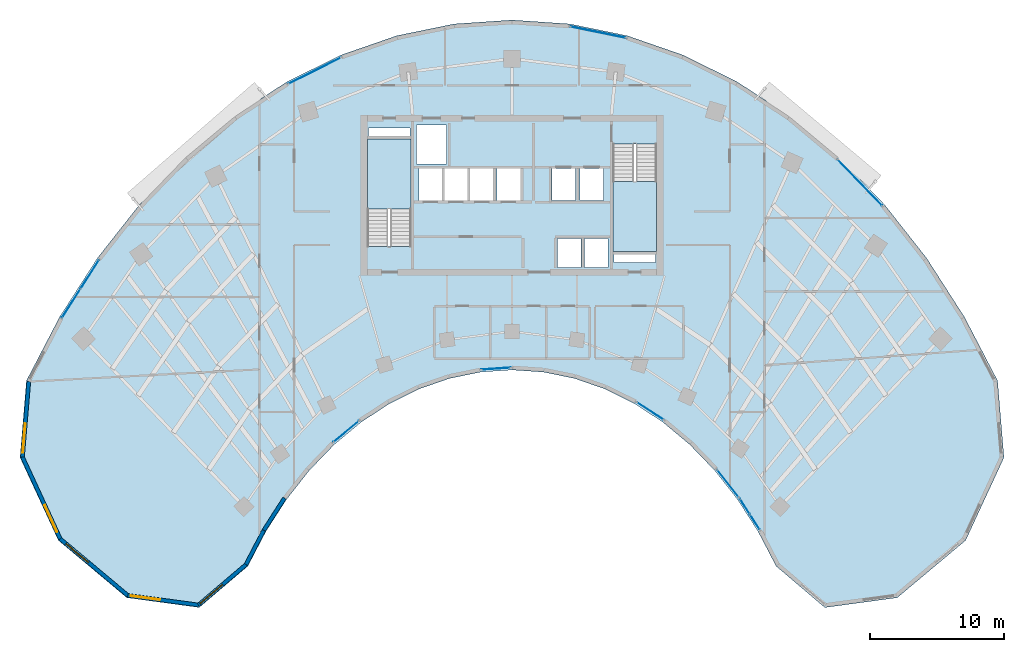
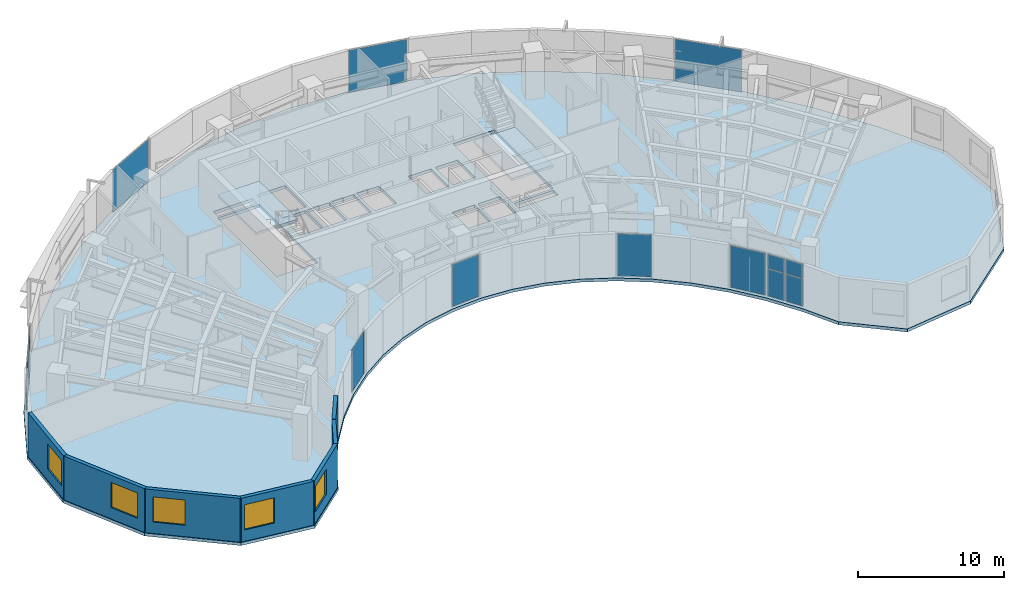
# One storey, part 7 of 14: 15 plates, 7 walls, 5 windows, 3 slabs, 5 openings, 11 elements without a shape of their own.
"""IFC4 building model written with IfcOpenShell, lengths in metres."""

from ifc_helpers import new_model, si_unit, direction, frame, frame_2d, origin, origin_2d, place, context, subcontext, project, spatial, polyline, rectangle, outline, extrude, source, transform, mapped, material, layer, layer_set, type_object, type_shapes, element, fill, aggregate, save


model = new_model("IFC4")

# Units and contexts
model_context = context("Model", 3, precision=1e-05, world=origin(), true_north=direction((0.0, 1.0)))
body_context = subcontext(model_context, "Body", "Model", "MODEL_VIEW")
ifc_project = project(units=[si_unit("LENGTHUNIT", "METRE"), si_unit("AREAUNIT", "SQUARE_METRE"), si_unit("VOLUMEUNIT", "CUBIC_METRE"), si_unit("PLANEANGLEUNIT", "RADIAN"), si_unit("MASSUNIT", "GRAM", prefix="KILO")], contexts=[model_context])

# Site, building, storey
site_placement = place(None, origin())
site = spatial("IfcSite", under=ifc_project, at=site_placement, CompositionType="ELEMENT")
building_placement = place(site_placement, origin())
building = spatial("IfcBuilding", under=site, at=building_placement, Name="Breltana Convention Tower", CompositionType="ELEMENT")
storey_placement = place(building_placement, frame((0.0, 0.0, 99.89990234375)))
storey = spatial("IfcBuildingStorey", under=building, at=storey_placement, Name="L23", CompositionType="ELEMENT", Elevation=99.89990234375)

# Slab
ifc_material_1 = material(Name="Concrete C40/50", Category="concrete")
ifc_layer_1 = layer(ifc_material_1, 0.25, Name="Concrete C40/50")
ifc_layer_set_1 = layer_set([ifc_layer_1], Name="Concrete C40/50")
slab_type_1 = type_object("IfcSlabType", Name="SL-OFF-250", PredefinedType="FLOOR", material=ifc_layer_set_1)
slab_1_placement = place(storey_placement, frame((0.0, 0.0, -0.25)))
element("IfcSlab", 1, at=slab_1_placement, inside=storey, type_object=slab_type_1, Name="L23 Suspended Structural Floor Slab", PredefinedType="FLOOR", context=body_context, shape_type="SweptSolid", body=[
    extrude(outline(polyline([(84.254150390625, 52.3564453125), (81.779052734375, 57.1103515625), (78.958251953125, 61.5048828125), (75.820556640625, 65.494873046875), (72.39794921875, 69.03955078125), (68.7255859375, 72.1025390625), (64.841064453125, 74.652587890625), (60.783935546875, 76.663818359375), (56.59619140625, 78.114990234375), (52.3203125, 78.99169921875), (48.0, 79.284912109375), (43.6796875, 78.99169921875), (39.40380859375, 78.114990234375), (35.216064453125, 76.663818359375), (31.158935546875, 74.652587890625), (27.2744140625, 72.1025390625), (23.60205078125, 69.03955078125), (20.179443359375, 65.494873046875), (17.041748046875, 61.5048828125), (14.220947265625, 57.1103515625), (11.745849609375, 52.3564453125), (11.266357421875, 46.619384765625), (14.128173828125, 40.42919921875), (19.23828125, 36.150146484375), (24.64501953125, 35.4169921875), (28.282958984375, 38.509521484375), (29.62890625, 41.09521484375), (31.1630859375, 43.485107421875), (32.869384765625, 45.655029296875), (34.73095703125, 47.5830078125), (36.728271484375, 49.248779296875), (38.8408203125, 50.6357421875), (41.04736328125, 51.7294921875), (43.324951171875, 52.518798828125), (45.650390625, 52.99560546875), (48.0, 53.155029296875), (50.349609375, 52.99560546875), (52.675048828125, 52.518798828125), (54.95263671875, 51.7294921875), (57.1591796875, 50.6357421875), (59.271728515625, 49.248779296875), (61.26904296875, 47.5830078125), (63.130615234375, 45.655029296875), (64.8369140625, 43.485107421875), (66.37109375, 41.09521484375), (67.717041015625, 38.509521484375), (71.35498046875, 35.4169921875), (76.76171875, 36.150146484375), (81.871826171875, 40.42919921875), (84.733642578125, 46.619384765625), (84.254150390625, 52.3564453125)]), holes=[polyline([(37.199951171875, 62.385009765625), (40.469970703125, 62.385009765625), (40.469970703125, 70.39990234375), (37.199951171875, 70.39990234375), (37.199951171875, 62.385009765625)]), polyline([(55.530029296875, 62.0), (58.800048828125, 62.0), (58.800048828125, 70.014892578125), (55.530029296875, 70.014892578125), (55.530029296875, 62.0)]), polyline([(51.39990234375, 60.800048828125), (53.159912109375, 60.800048828125), (53.159912109375, 62.97998046875), (51.39990234375, 62.97998046875), (51.39990234375, 60.800048828125)]), polyline([(53.39990234375, 60.800048828125), (55.159912109375, 60.800048828125), (55.159912109375, 62.97998046875), (53.39990234375, 62.97998046875), (53.39990234375, 60.800048828125)]), polyline([(41.0400390625, 65.820068359375), (42.800048828125, 65.820068359375), (42.800048828125, 68.179931640625), (41.0400390625, 68.179931640625), (41.0400390625, 65.820068359375)]), polyline([(42.93994140625, 65.820068359375), (44.699951171875, 65.820068359375), (44.699951171875, 68.179931640625), (42.93994140625, 68.179931640625), (42.93994140625, 65.820068359375)]), polyline([(44.8701171875, 65.820068359375), (46.6298828125, 65.820068359375), (46.6298828125, 68.179931640625), (44.8701171875, 68.179931640625), (44.8701171875, 65.820068359375)]), polyline([(46.8701171875, 65.820068359375), (48.6298828125, 65.820068359375), (48.6298828125, 68.179931640625), (46.8701171875, 68.179931640625), (46.8701171875, 65.820068359375)]), polyline([(50.969970703125, 65.800048828125), (52.72998046875, 65.800048828125), (52.72998046875, 68.179931640625), (50.969970703125, 68.179931640625), (50.969970703125, 65.800048828125)]), polyline([(53.070068359375, 65.800048828125), (54.830078125, 65.800048828125), (54.830078125, 68.179931640625), (53.070068359375, 68.179931640625), (53.070068359375, 65.800048828125)]), polyline([(40.8798828125, 68.550048828125), (43.1201171875, 68.550048828125), (43.1201171875, 71.449951171875), (40.8798828125, 71.449951171875), (40.8798828125, 68.550048828125)]), polyline([(37.300048828125, 70.60009765625), (40.3798828125, 70.60009765625), (40.3798828125, 71.219970703125), (37.300048828125, 71.219970703125), (37.300048828125, 70.60009765625)]), polyline([(55.6201171875, 61.179931640625), (58.699951171875, 61.179931640625), (58.699951171875, 61.800048828125), (55.6201171875, 61.800048828125), (55.6201171875, 61.179931640625)])]), origin(), (0.0, 0.0, 1.0), 0.25),
])

# Stair, slab
stair_type = type_object("IfcStairType", Name="ST-DOG-1560-R177", PredefinedType="HALF_TURN_STAIR", material=ifc_material_1)
stair_1_placement = place(storey_placement, origin())
stair_1 = element("IfcStair", 2, at=stair_1_placement, inside=storey, type_object=stair_type, Name="L23 Protected Core Exit Stair ST-1", PredefinedType="HALF_TURN_STAIR")
ifc_layer_2 = layer(ifc_material_1, 0.199951171875, Name="Concrete C40/50")
ifc_layer_set_2 = layer_set([ifc_layer_2], Name="Concrete C40/50")
slab_type_2 = type_object("IfcSlabType", Name="SL-STAIR-LANDING-200", PredefinedType="LANDING", material=ifc_layer_set_2)
slab_2_placement = place(storey_placement, frame((0.0, 0.0, 1.75)))
slab_2 = element("IfcSlab", 3, at=slab_2_placement, type_object=slab_type_2, Name="ST-1 landing 1", PredefinedType="LANDING", context=body_context, shape_type="SweptSolid", body=[
    extrude(outline(polyline([(40.469970703125, 65.159912109375), (40.469970703125, 70.39990234375), (37.199951171875, 70.39990234375), (37.199951171875, 65.159912109375), (40.469970703125, 65.159912109375)])), origin(), (0.0, 0.0, 1.0), 0.2001953125),
])
aggregate(stair_1, [slab_2])

stair_2_placement = place(storey_placement, origin())
stair_2 = element("IfcStair", 4, at=stair_2_placement, inside=storey, type_object=stair_type, Name="L23 Protected Core Exit Stair ST-2", PredefinedType="HALF_TURN_STAIR")
slab_3_placement = place(storey_placement, frame((0.0, 0.0, 1.75)))
slab_3 = element("IfcSlab", 5, at=slab_3_placement, type_object=slab_type_2, Name="ST-2 landing 1", PredefinedType="LANDING", context=body_context, shape_type="SweptSolid", body=[
    extrude(outline(polyline([(55.530029296875, 67.239990234375), (55.530029296875, 62.0), (58.800048828125, 62.0), (58.800048828125, 67.239990234375), (55.530029296875, 67.239990234375)])), origin(), (0.0, 0.0, 1.0), 0.2001953125),
])
aggregate(stair_2, [slab_3])

# Curtain wall, plates
ifc_material_2 = material(Name="Aluminium Anodised Bronze Frame", Category="aluminium")
ifc_layer_3 = layer(ifc_material_2, 0.18994140625, Name="Aluminium Anodised Bronze Frame")
ifc_layer_set_3 = layer_set([ifc_layer_3], Name="Aluminium Anodised Bronze Frame")
curtain_wall_type_1 = type_object("IfcCurtainWallType", Name="CW-SYS-1", PredefinedType="NOTDEFINED", material=ifc_layer_set_3)
curtain_wall_1_placement = place(storey_placement, origin())
curtain_wall_1 = element("IfcCurtainWall", 6, at=curtain_wall_1_placement, inside=storey, type_object=curtain_wall_type_1, Name="L23 inner south-court glazing 1", PredefinedType="NOTDEFINED")
ifc_material_3 = material(Name="Glass Low-E Double Glazing", Category="glass")
ifc_layer_4 = layer(ifc_material_3, 0.028076171875, Name="Glass Low-E Double Glazing")
ifc_layer_set_4 = layer_set([ifc_layer_4], Name="Glass Low-E Double Glazing")
plate_type_1 = type_object("IfcPlateType", Name="CWP-IGU-28", PredefinedType="CURTAIN_PANEL", material=ifc_layer_set_4)
shared_shape_1 = source(origin(), body_context, "Body", "SweptSolid", [
    extrude(rectangle(XDim=1.300048828125, YDim=0.028076171875, at=origin_2d()), origin(), (0.0, 0.0, 1.0), 2.25244140625),
])
plate_1_placement = place(storey_placement, frame((66.128173828125, 41.806640625, 0.080078125), z_axis=(0.0, 0.0, 1.0), x_axis=(-0.5401773017, 0.841551235949, 0.0)))
plate_1 = element("IfcPlate", 7, at=plate_1_placement, type_object=plate_type_1, Name="CW-01 panel 1.1", PredefinedType="CURTAIN_PANEL", context=body_context, shape_type="MappedRepresentation", body=[
    mapped(shared_shape_1, transform((0.0, 0.0, 0.0), scale=1.0)),
])
plate_2_placement = place(storey_placement, frame((65.3828125, 42.968017578125, 0.080078125), z_axis=(0.0, 0.0, 1.0), x_axis=(-0.5401773017, 0.841551235949, 0.0)))
plate_2 = element("IfcPlate", 8, at=plate_2_placement, type_object=plate_type_1, Name="CW-01 panel 2.1", PredefinedType="CURTAIN_PANEL", context=body_context, shape_type="MappedRepresentation", body=[
    mapped(shared_shape_1, transform((0.0, 0.0, 0.0), scale=1.0)),
])
shared_shape_2 = source(origin(), body_context, "Body", "SweptSolid", [
    extrude(rectangle(XDim=1.300048828125, YDim=0.028076171875, at=origin_2d()), origin(), (0.0, 0.0, 1.0), 1.157470703125),
])
plate_3_placement = place(storey_placement, frame((66.128173828125, 41.806640625, 2.41259765625), z_axis=(0.0, 0.0, 1.0), x_axis=(-0.5401773017, 0.841551235949, 0.0)))
plate_3 = element("IfcPlate", 9, at=plate_3_placement, type_object=plate_type_1, Name="CW-01 panel 1.2", PredefinedType="CURTAIN_PANEL", context=body_context, shape_type="MappedRepresentation", body=[
    mapped(shared_shape_2, transform((0.0, 0.0, 0.0), scale=1.0)),
])
plate_4_placement = place(storey_placement, frame((65.3828125, 42.968017578125, 2.41259765625), z_axis=(0.0, 0.0, 1.0), x_axis=(-0.5401773017, 0.841551235949, 0.0)))
plate_4 = element("IfcPlate", 10, at=plate_4_placement, type_object=plate_type_1, Name="CW-01 panel 2.2", PredefinedType="CURTAIN_PANEL", context=body_context, shape_type="MappedRepresentation", body=[
    mapped(shared_shape_2, transform((0.0, 0.0, 0.0), scale=1.0)),
])
aggregate(curtain_wall_1, [plate_1, plate_3, plate_2, plate_4])

# Curtain wall, plate
curtain_wall_2_placement = place(storey_placement, origin())
curtain_wall_2 = element("IfcCurtainWall", 11, at=curtain_wall_2_placement, inside=storey, type_object=curtain_wall_type_1, Name="L23 inner south-court glazing 2", PredefinedType="NOTDEFINED")
shared_shape_3 = source(origin(), body_context, "Body", "SweptSolid", [
    extrude(rectangle(XDim=2.6005859375, YDim=0.028076171875, at=origin_2d()), origin(), (0.0, 0.0, 1.0), 3.489990234375),
])
plate_5_placement = place(storey_placement, frame((64.125244140625, 44.681396484375, 0.080078125), z_axis=(0.0, 0.0, 1.0), x_axis=(-0.61815745037, 0.786054302547, 0.0)))
plate_5 = element("IfcPlate", 12, at=plate_5_placement, type_object=plate_type_1, Name="CW-01 panel 1.1", PredefinedType="CURTAIN_PANEL", context=body_context, shape_type="MappedRepresentation", body=[
    mapped(shared_shape_3, transform((0.0, 0.0, 0.0), scale=1.0)),
])
aggregate(curtain_wall_2, [plate_5])

curtain_wall_3_placement = place(storey_placement, origin())
curtain_wall_3 = element("IfcCurtainWall", 13, at=curtain_wall_3_placement, inside=storey, type_object=curtain_wall_type_1, Name="L23 inner south-court glazing 3", PredefinedType="NOTDEFINED")
shared_shape_4 = source(origin(), body_context, "Body", "SweptSolid", [
    extrude(rectangle(XDim=2.3671875, YDim=0.028076171875, at=origin_2d()), origin(), (0.0, 0.0, 1.0), 3.489990234375),
])
plate_6_placement = place(storey_placement, frame((58.314208984375, 50.0927734375, 0.080078125), z_axis=(0.0, 0.0, 1.0), x_axis=(-0.835967927261, 0.548778301858, 0.0)))
plate_6 = element("IfcPlate", 14, at=plate_6_placement, type_object=plate_type_1, Name="CW-01 panel 1.1", PredefinedType="CURTAIN_PANEL", context=body_context, shape_type="MappedRepresentation", body=[
    mapped(shared_shape_4, transform((0.0, 0.0, 0.0), scale=1.0)),
])
aggregate(curtain_wall_3, [plate_6])

curtain_wall_4_placement = place(storey_placement, origin())
curtain_wall_4 = element("IfcCurtainWall", 15, at=curtain_wall_4_placement, inside=storey, type_object=curtain_wall_type_1, Name="L23 inner south-court glazing 4", PredefinedType="NOTDEFINED")
shared_shape_5 = source(origin(), body_context, "Body", "SweptSolid", [
    extrude(rectangle(XDim=2.195068359375, YDim=0.028076171875, at=origin_2d()), origin(), (0.0, 0.0, 1.0), 3.489990234375),
])
plate_7_placement = place(storey_placement, frame((46.81298828125, 53.2548828125, 0.080078125), z_axis=(0.0, 0.0, 1.0), x_axis=(-0.997703821328, -0.067728021582, 0.0)))
plate_7 = element("IfcPlate", 16, at=plate_7_placement, type_object=plate_type_1, Name="CW-01 panel 1.1", PredefinedType="CURTAIN_PANEL", context=body_context, shape_type="MappedRepresentation", body=[
    mapped(shared_shape_5, transform((0.0, 0.0, 0.0), scale=1.0)),
])
aggregate(curtain_wall_4, [plate_7])

curtain_wall_5_placement = place(storey_placement, origin())
curtain_wall_5 = element("IfcCurtainWall", 17, at=curtain_wall_5_placement, inside=storey, type_object=curtain_wall_type_1, Name="L23 inner south-court glazing 5", PredefinedType="NOTDEFINED")
shared_shape_6 = source(origin(), body_context, "Body", "SweptSolid", [
    extrude(rectangle(XDim=2.44091796875, YDim=0.028076171875, at=origin_2d()), origin(), (0.0, 0.0, 1.0), 3.489990234375),
])
plate_8_placement = place(storey_placement, frame((35.6142578125, 48.553955078125, 0.080078125), z_axis=(0.0, 0.0, 1.0), x_axis=(-0.76794071768, -0.640520924036, 0.0)))
plate_8 = element("IfcPlate", 18, at=plate_8_placement, type_object=plate_type_1, Name="CW-01 panel 1.1", PredefinedType="CURTAIN_PANEL", context=body_context, shape_type="MappedRepresentation", body=[
    mapped(shared_shape_6, transform((0.0, 0.0, 0.0), scale=1.0)),
])
aggregate(curtain_wall_5, [plate_8])

# Curtain wall, plates
ifc_layer_5 = layer(ifc_material_2, 0.22998046875, Name="Aluminium Anodised Bronze Frame")
ifc_layer_set_5 = layer_set([ifc_layer_5], Name="Aluminium Anodised Bronze Frame")
curtain_wall_type_2 = type_object("IfcCurtainWallType", Name="CW-SYS-5", PredefinedType="NOTDEFINED", material=ifc_layer_set_5)
curtain_wall_6_placement = place(storey_placement, origin())
curtain_wall_6 = element("IfcCurtainWall", 19, at=curtain_wall_6_placement, inside=storey, type_object=curtain_wall_type_2, Name="L23 outer double-skin inner glazing 1", PredefinedType="NOTDEFINED")
ifc_layer_6 = layer(ifc_material_3, 0.035888671875, Name="Glass Low-E Double Glazing")
ifc_layer_set_6 = layer_set([ifc_layer_6], Name="Glass Low-E Double Glazing")
plate_type_2 = type_object("IfcPlateType", Name="CWP-IGU-36", PredefinedType="CURTAIN_PANEL", material=ifc_layer_set_6)
shared_shape_7 = source(origin(), body_context, "Body", "SweptSolid", [
    extrude(rectangle(XDim=2.49755859375, YDim=0.035888671875, at=origin_2d()), origin(), (0.0, 0.0, 1.0), 2.267578125),
])
plate_9_placement = place(storey_placement, frame((15.089111328125, 58.1298828125, 0.070068359375), z_axis=(0.0, 0.0, 1.0), x_axis=(0.540176809834, 0.84155155167, 0.0)))
plate_9 = element("IfcPlate", 20, at=plate_9_placement, type_object=plate_type_2, Name="CW-05 panel 1.1", PredefinedType="CURTAIN_PANEL", context=body_context, shape_type="MappedRepresentation", body=[
    mapped(shared_shape_7, transform((0.0, 0.0, 0.0), scale=1.0)),
])
plate_10_placement = place(storey_placement, frame((16.47607421875, 60.29052734375, 0.070068359375), z_axis=(0.0, 0.0, 1.0), x_axis=(0.540176809834, 0.84155155167, 0.0)))
plate_10 = element("IfcPlate", 21, at=plate_10_placement, type_object=plate_type_2, Name="CW-05 panel 2.1", PredefinedType="CURTAIN_PANEL", context=body_context, shape_type="MappedRepresentation", body=[
    mapped(shared_shape_7, transform((0.0, 0.0, 0.0), scale=1.0)),
])
shared_shape_8 = source(origin(), body_context, "Body", "SweptSolid", [
    extrude(rectangle(XDim=2.49755859375, YDim=0.035888671875, at=origin_2d()), origin(), (0.0, 0.0, 1.0), 1.172607421875),
])
plate_11_placement = place(storey_placement, frame((15.089111328125, 58.1298828125, 2.40771484375), z_axis=(0.0, 0.0, 1.0), x_axis=(0.540176809834, 0.84155155167, 0.0)))
plate_11 = element("IfcPlate", 22, at=plate_11_placement, type_object=plate_type_2, Name="CW-05 panel 1.2", PredefinedType="CURTAIN_PANEL", context=body_context, shape_type="MappedRepresentation", body=[
    mapped(shared_shape_8, transform((0.0, 0.0, 0.0), scale=1.0)),
])
plate_12_placement = place(storey_placement, frame((16.47607421875, 60.29052734375, 2.40771484375), z_axis=(0.0, 0.0, 1.0), x_axis=(0.540176809834, 0.84155155167, 0.0)))
plate_12 = element("IfcPlate", 23, at=plate_12_placement, type_object=plate_type_2, Name="CW-05 panel 2.2", PredefinedType="CURTAIN_PANEL", context=body_context, shape_type="MappedRepresentation", body=[
    mapped(shared_shape_8, transform((0.0, 0.0, 0.0), scale=1.0)),
])
aggregate(curtain_wall_6, [plate_9, plate_11, plate_10, plate_12])

# Curtain wall, plate
curtain_wall_7_placement = place(storey_placement, origin())
curtain_wall_7 = element("IfcCurtainWall", 24, at=curtain_wall_7_placement, inside=storey, type_object=curtain_wall_type_2, Name="L23 outer double-skin inner glazing 2", PredefinedType="NOTDEFINED")
shared_shape_9 = source(origin(), body_context, "Body", "SweptSolid", [
    extrude(rectangle(XDim=4.36572265625, YDim=0.035888671875, at=origin_2d()), origin(), (0.0, 0.0, 1.0), 3.510009765625),
])
plate_13_placement = place(storey_placement, frame((33.26708984375, 75.496826171875, 0.0703125), z_axis=(0.0, 0.0, 1.0), x_axis=(0.895966548937, 0.444121541007, 0.0)))
plate_13 = element("IfcPlate", 25, at=plate_13_placement, type_object=plate_type_2, Name="CW-05 panel 1.1", PredefinedType="CURTAIN_PANEL", context=body_context, shape_type="MappedRepresentation", body=[
    mapped(shared_shape_9, transform((0.0, 0.0, 0.0), scale=1.0)),
])
aggregate(curtain_wall_7, [plate_13])

curtain_wall_8_placement = place(storey_placement, origin())
curtain_wall_8 = element("IfcCurtainWall", 26, at=curtain_wall_8_placement, inside=storey, type_object=curtain_wall_type_2, Name="L23 outer double-skin inner glazing 3", PredefinedType="NOTDEFINED")
shared_shape_10 = source(origin(), body_context, "Body", "SweptSolid", [
    extrude(rectangle(XDim=4.200927734375, YDim=0.035888671875, at=origin_2d()), origin(), (0.0, 0.0, 1.0), 3.510009765625),
])
plate_14_placement = place(storey_placement, frame((54.422119140625, 78.376953125, 0.0703125), z_axis=(0.0, 0.0, 1.0), x_axis=(0.979620254346, -0.200858550415, 0.0)))
plate_14 = element("IfcPlate", 27, at=plate_14_placement, type_object=plate_type_2, Name="CW-05 panel 1.1", PredefinedType="CURTAIN_PANEL", context=body_context, shape_type="MappedRepresentation", body=[
    mapped(shared_shape_10, transform((0.0, 0.0, 0.0), scale=1.0)),
])
aggregate(curtain_wall_8, [plate_14])

curtain_wall_9_placement = place(storey_placement, origin())
curtain_wall_9 = element("IfcCurtainWall", 28, at=curtain_wall_9_placement, inside=storey, type_object=curtain_wall_type_2, Name="L23 outer double-skin inner glazing 4", PredefinedType="NOTDEFINED")
shared_shape_11 = source(origin(), body_context, "Body", "SweptSolid", [
    extrude(rectangle(XDim=4.7685546875, YDim=0.035888671875, at=origin_2d()), origin(), (0.0, 0.0, 1.0), 3.510009765625),
])
plate_15_placement = place(storey_placement, frame((73.97998046875, 67.141845703125, 0.0703125), z_axis=(0.0, 0.0, 1.0), x_axis=(0.694611601605, -0.719384961558, 0.0)))
plate_15 = element("IfcPlate", 29, at=plate_15_placement, type_object=plate_type_2, Name="CW-05 panel 1.1", PredefinedType="CURTAIN_PANEL", context=body_context, shape_type="MappedRepresentation", body=[
    mapped(shared_shape_11, transform((0.0, 0.0, 0.0), scale=1.0)),
])
aggregate(curtain_wall_9, [plate_15])

# Wall, opening, window
ifc_material_4 = material(Name="Limestone Buff Insulated Wall", Category="masonry")
ifc_layer_7 = layer(ifc_material_4, 0.280029296875, Name="Limestone Buff Insulated Wall")
ifc_layer_set_7 = layer_set([ifc_layer_7], Name="Limestone Buff Insulated Wall")
wall_type = type_object("IfcWallType", Name="WL-EXT-NOSE-280", PredefinedType="SOLIDWALL", material=ifc_layer_set_7)
shared_shape_12 = source(origin(), body_context, "Body", "SweptSolid", [
    extrude(rectangle(XDim=5.673583984375, YDim=0.280029296875, at=frame_2d((2.8369140625, 0.0))), origin(), (0.0, 0.0, 1.0), 3.650146484375),
])
wall_1_placement = place(storey_placement, frame((11.44970703125, 46.651611328125, 0.0), z_axis=(0.0, 0.0, 1.0), x_axis=(0.083309007867, 0.996523762491, 0.0)))
wall_1 = element("IfcWall", 30, at=wall_1_placement, inside=storey, type_object=wall_type, Name="L23 curved limestone nose wall W6", PredefinedType="SOLIDWALL", context=body_context, shape_type="MappedRepresentation", body=[
    mapped(shared_shape_12, transform((0.0, 0.0, 0.0), scale=1.0)),
])
opening_1_placement = place(wall_1_placement, frame((0.318359375, 0.0, 0.949951171875)))
opening_1 = element("IfcOpeningElement", 31, at=opening_1_placement, cuts=wall_1, Name="Opening W-03", PredefinedType="OPENING", context=body_context, shape_type="SweptSolid", body=[
    extrude(rectangle(XDim=2.199951171875, YDim=2.10009765625, at=frame_2d((1.10009765625, 1.050048828125))), frame((0.0, 0.14990234375, 0.0), z_axis=(0.0, -1.0, 0.0), x_axis=(1.0, 0.0, 0.0)), (0.0, 0.0, 1.0), 0.300048828125),
])
ifc_material_5 = material(Name="Glass Low-E Insulated Window", Category="glass")
window_type = type_object("IfcWindowType", Name="WN-NOSE-2200X2100", PartitioningType="TRIPLE_PANEL_VERTICAL", PredefinedType="WINDOW", material=ifc_material_5)
shared_shape_13 = source(origin(), body_context, "Body", "SweptSolid", [
    extrude(rectangle(XDim=2.199951171875, YDim=2.10009765625, at=frame_2d((1.10009765625, 1.050048828125))), frame((0.0, 0.030029296875, 0.0), z_axis=(0.0, -1.0, 0.0), x_axis=(1.0, 0.0, 0.0)), (0.0, 0.0, 1.0), 0.06005859375),
])
type_shapes(window_type, [shared_shape_13])
window_1_placement = place(opening_1_placement, origin())
window_1 = element("IfcWindow", 32, at=window_1_placement, inside=storey, type_object=window_type, Name="L23 nose window W6", OverallHeight=2.10009765625, OverallWidth=2.199951171875, PartitioningType="TRIPLE_PANEL_VERTICAL", PredefinedType="WINDOW", context=body_context, shape_type="MappedRepresentation", body=[
    mapped(shared_shape_13, transform((0.0, 0.0, 0.0), scale=1.0)),
])
fill(opening_1, window_1)

shared_shape_14 = source(origin(), body_context, "Body", "SweptSolid", [
    extrude(rectangle(XDim=6.731689453125, YDim=0.280029296875, at=frame_2d((3.36572265625, 0.0))), origin(), (0.0, 0.0, 1.0), 3.650146484375),
])
wall_2_placement = place(storey_placement, frame((14.274658203125, 40.541259765625, 0.0), z_axis=(0.0, 0.0, 1.0), x_axis=(-0.419644552709, 0.907688520023, 0.0)))
wall_2 = element("IfcWall", 33, at=wall_2_placement, inside=storey, type_object=wall_type, Name="L23 curved limestone nose wall W5", PredefinedType="SOLIDWALL", context=body_context, shape_type="MappedRepresentation", body=[
    mapped(shared_shape_14, transform((0.0, 0.0, 0.0), scale=1.0)),
])
opening_2_placement = place(wall_2_placement, frame((0.5830078125, 0.0, 0.949951171875)))
opening_2 = element("IfcOpeningElement", 34, at=opening_2_placement, cuts=wall_2, Name="Opening W-03", PredefinedType="OPENING", context=body_context, shape_type="SweptSolid", body=[
    extrude(rectangle(XDim=2.199951171875, YDim=2.10009765625, at=frame_2d((1.10009765625, 1.050048828125))), frame((0.0, 0.14990234375, 0.0), z_axis=(0.0, -1.0, 0.0), x_axis=(1.0, 0.0, 0.0)), (0.0, 0.0, 1.0), 0.300048828125),
])
window_2_placement = place(opening_2_placement, origin())
window_2 = element("IfcWindow", 35, at=window_2_placement, inside=storey, type_object=window_type, Name="L23 nose window W5", OverallHeight=2.10009765625, OverallWidth=2.199951171875, PartitioningType="TRIPLE_PANEL_VERTICAL", PredefinedType="WINDOW", context=body_context, shape_type="MappedRepresentation", body=[
    mapped(shared_shape_13, transform((0.0, 0.0, 0.0), scale=1.0)),
])
fill(opening_2, window_2)

shared_shape_15 = source(origin(), body_context, "Body", "SweptSolid", [
    extrude(rectangle(XDim=6.572998046875, YDim=0.280029296875, at=frame_2d((3.28662109375, 0.0))), origin(), (0.0, 0.0, 1.0), 3.650146484375),
])
wall_3_placement = place(storey_placement, frame((19.314208984375, 36.321533203125, 0.0), z_axis=(0.0, 0.0, 1.0), x_axis=(-0.766715154163, 0.641987439423, 0.0)))
wall_3 = element("IfcWall", 36, at=wall_3_placement, inside=storey, type_object=wall_type, Name="L23 curved limestone nose wall W4", PredefinedType="SOLIDWALL", context=body_context, shape_type="MappedRepresentation", body=[
    mapped(shared_shape_15, transform((0.0, 0.0, 0.0), scale=1.0)),
])
opening_3_placement = place(wall_3_placement, frame((3.82958984375, 0.0, 0.949951171875)))
opening_3 = element("IfcOpeningElement", 37, at=opening_3_placement, cuts=wall_3, Name="Opening W-03", PredefinedType="OPENING", context=body_context, shape_type="SweptSolid", body=[
    extrude(rectangle(XDim=2.199951171875, YDim=2.10009765625, at=frame_2d((1.10009765625, 1.050048828125))), frame((0.0, 0.14990234375, 0.0), z_axis=(0.0, -1.0, 0.0), x_axis=(1.0, 0.0, 0.0)), (0.0, 0.0, 1.0), 0.300048828125),
])
window_3_placement = place(opening_3_placement, origin())
window_3 = element("IfcWindow", 38, at=window_3_placement, inside=storey, type_object=window_type, Name="L23 nose window W4", OverallHeight=2.10009765625, OverallWidth=2.199951171875, PartitioningType="TRIPLE_PANEL_VERTICAL", PredefinedType="WINDOW", context=body_context, shape_type="MappedRepresentation", body=[
    mapped(shared_shape_13, transform((0.0, 0.0, 0.0), scale=1.0)),
])
fill(opening_3, window_3)

shared_shape_16 = source(origin(), body_context, "Body", "SweptSolid", [
    extrude(rectangle(XDim=5.32373046875, YDim=0.280029296875, at=frame_2d((2.661865234375, 0.0))), origin(), (0.0, 0.0, 1.0), 3.650146484375),
])
wall_4_placement = place(storey_placement, frame((24.589599609375, 35.606201171875, 0.0), z_axis=(0.0, 0.0, 1.0), x_axis=(-0.990931467223, 0.134368252451, 0.0)))
wall_4 = element("IfcWall", 39, at=wall_4_placement, inside=storey, type_object=wall_type, Name="L23 curved limestone nose wall W3", PredefinedType="SOLIDWALL", context=body_context, shape_type="MappedRepresentation", body=[
    mapped(shared_shape_16, transform((0.0, 0.0, 0.0), scale=1.0)),
])
opening_4_placement = place(wall_4_placement, frame((2.892822265625, 0.0, 0.949951171875)))
opening_4 = element("IfcOpeningElement", 40, at=opening_4_placement, cuts=wall_4, Name="Opening W-03", PredefinedType="OPENING", context=body_context, shape_type="SweptSolid", body=[
    extrude(rectangle(XDim=2.199951171875, YDim=2.10009765625, at=frame_2d((1.10009765625, 1.050048828125))), frame((0.0, 0.14990234375, 0.0), z_axis=(0.0, -1.0, 0.0), x_axis=(1.0, 0.0, 0.0)), (0.0, 0.0, 1.0), 0.300048828125),
])
window_4_placement = place(opening_4_placement, origin())
window_4 = element("IfcWindow", 41, at=window_4_placement, inside=storey, type_object=window_type, Name="L23 nose window W3", OverallHeight=2.10009765625, OverallWidth=2.199951171875, PartitioningType="TRIPLE_PANEL_VERTICAL", PredefinedType="WINDOW", context=body_context, shape_type="MappedRepresentation", body=[
    mapped(shared_shape_13, transform((0.0, 0.0, 0.0), scale=1.0)),
])
fill(opening_4, window_4)

shared_shape_17 = source(origin(), body_context, "Body", "SweptSolid", [
    extrude(rectangle(XDim=4.6591796875, YDim=0.280029296875, at=frame_2d((2.32958984375, 0.0))), origin(), (0.0, 0.0, 1.0), 3.650146484375),
])
wall_5_placement = place(storey_placement, frame((28.139404296875, 38.623779296875, 0.0), z_axis=(0.0, 0.0, 1.0), x_axis=(-0.761913458795, -0.647678841176, 0.0)))
wall_5 = element("IfcWall", 42, at=wall_5_placement, inside=storey, type_object=wall_type, Name="L23 curved limestone nose wall W2", PredefinedType="SOLIDWALL", context=body_context, shape_type="MappedRepresentation", body=[
    mapped(shared_shape_17, transform((0.0, 0.0, 0.0), scale=1.0)),
])
opening_5_placement = place(wall_5_placement, frame((2.29931640625, 0.0, 0.949951171875)))
opening_5 = element("IfcOpeningElement", 43, at=opening_5_placement, cuts=wall_5, Name="Opening W-03", PredefinedType="OPENING", context=body_context, shape_type="SweptSolid", body=[
    extrude(rectangle(XDim=2.199951171875, YDim=2.10009765625, at=frame_2d((1.10009765625, 1.050048828125))), frame((0.0, 0.14990234375, 0.0), z_axis=(0.0, -1.0, 0.0), x_axis=(1.0, 0.0, 0.0)), (0.0, 0.0, 1.0), 0.300048828125),
])
window_5_placement = place(opening_5_placement, origin())
window_5 = element("IfcWindow", 44, at=window_5_placement, inside=storey, type_object=window_type, Name="L23 nose window W2", OverallHeight=2.10009765625, OverallWidth=2.199951171875, PartitioningType="TRIPLE_PANEL_VERTICAL", PredefinedType="WINDOW", context=body_context, shape_type="MappedRepresentation", body=[
    mapped(shared_shape_13, transform((0.0, 0.0, 0.0), scale=1.0)),
])
fill(opening_5, window_5)

# Walls
shared_shape_18 = source(origin(), body_context, "Body", "SweptSolid", [
    extrude(rectangle(XDim=2.8798828125, YDim=0.280029296875, at=frame_2d((1.43994140625, 0.0))), origin(), (0.0, 0.0, 1.0), 3.650146484375),
])
wall_6_placement = place(storey_placement, frame((29.46923828125, 41.17822265625, 0.0), z_axis=(0.0, 0.0, 1.0), x_axis=(-0.461769086658, -0.887000175088, 0.0)))
element("IfcWall", 45, at=wall_6_placement, inside=storey, type_object=wall_type, Name="L23 curved limestone nose wall W1", PredefinedType="SOLIDWALL", context=body_context, shape_type="MappedRepresentation", body=[
    mapped(shared_shape_18, transform((0.0, 0.0, 0.0), scale=1.0)),
])
shared_shape_19 = source(origin(), body_context, "Body", "SweptSolid", [
    extrude(rectangle(XDim=2.83984375, YDim=0.280029296875, at=frame_2d((1.419921875, 0.0))), origin(), (0.0, 0.0, 1.0), 3.650146484375),
])
wall_7_placement = place(storey_placement, frame((31.011474609375, 43.582275390625, 0.0), z_axis=(0.0, 0.0, 1.0), x_axis=(-0.540214368057, -0.841527442538, 0.0)))
element("IfcWall", 46, at=wall_7_placement, inside=storey, type_object=wall_type, Name="L23 curved limestone nose wall E19", PredefinedType="SOLIDWALL", context=body_context, shape_type="MappedRepresentation", body=[
    mapped(shared_shape_19, transform((0.0, 0.0, 0.0), scale=1.0)),
])

save(model, "model.ifc")
